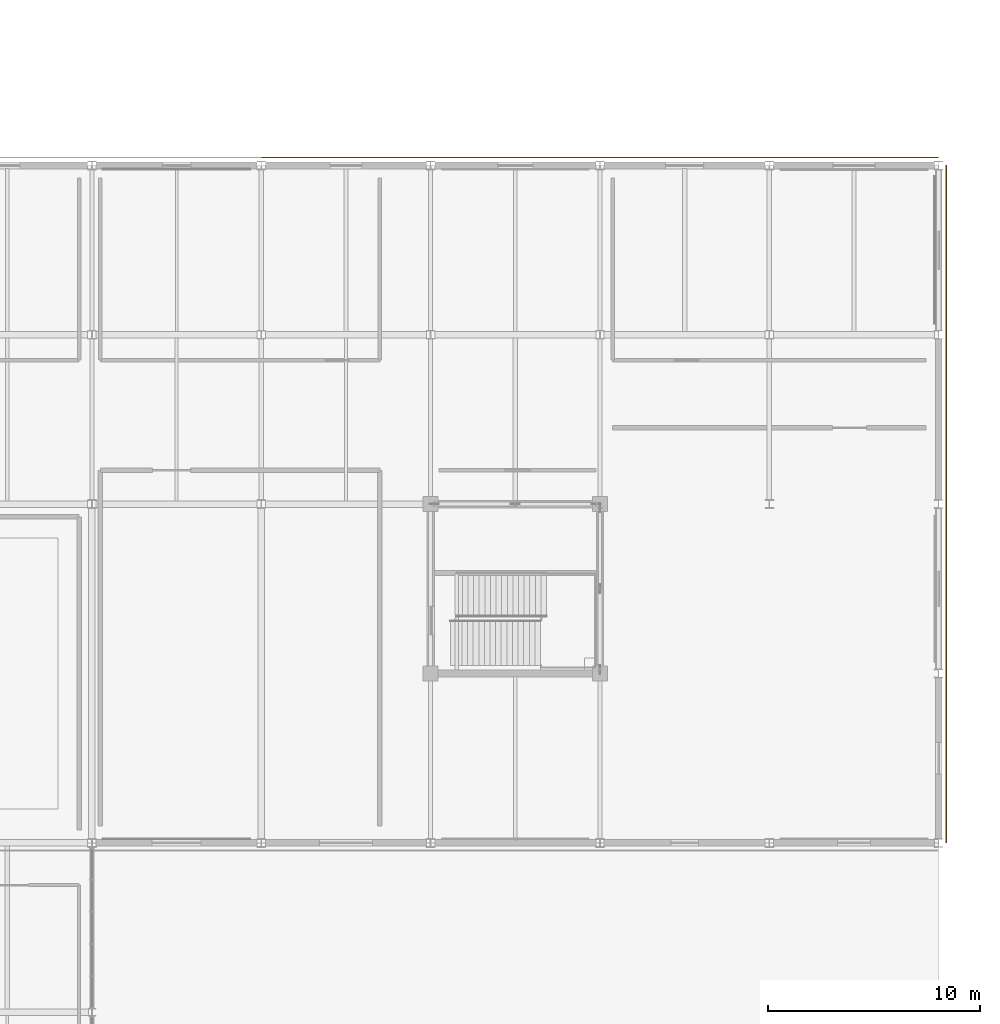
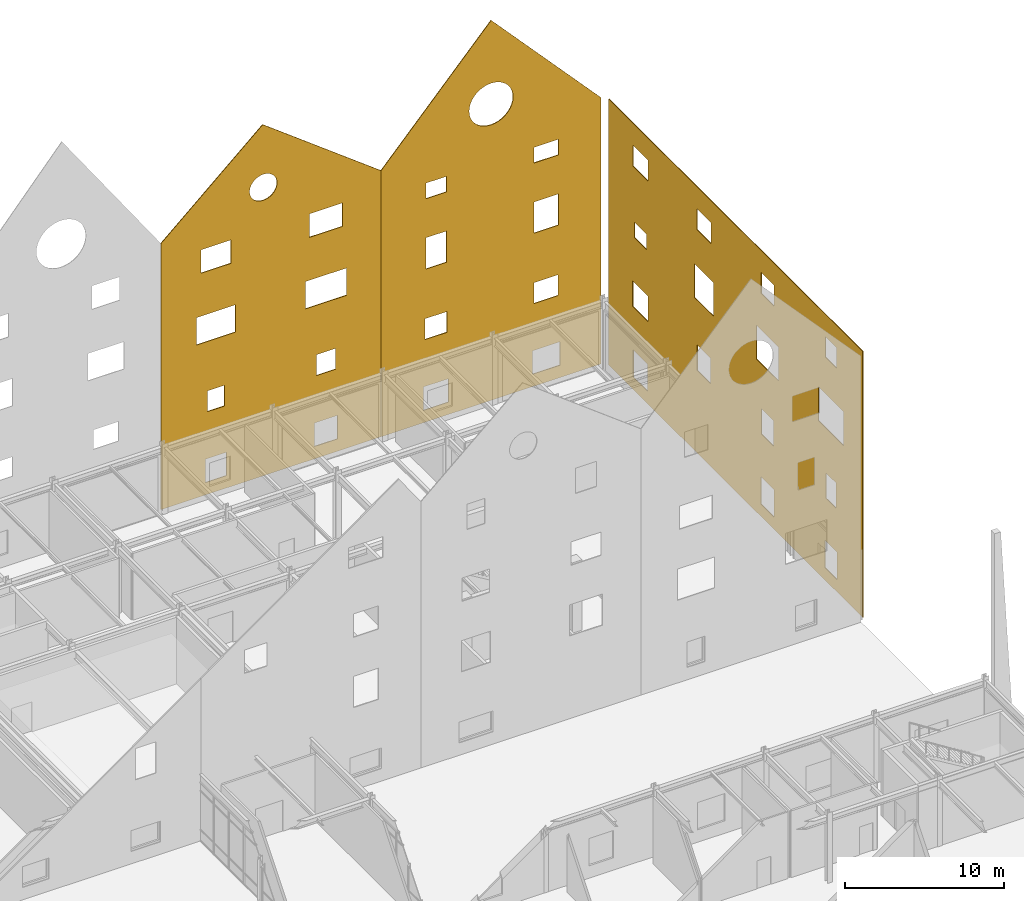
# One storey, part 118 of 119: 3 coverings, 33 openings.
"""IFC4 building model written with IfcOpenShell, lengths in metres."""

from ifc_helpers import new_model, si_unit, direction, frame, frame_2d, origin, place, context, subcontext, project, spatial, polyline, rectangle, outline, extrude, material, layer, layer_set, type_object, element, save


model = new_model("IFC4")

# Units and contexts
model_context = context("Model", 3, precision=1e-05, world=origin(), true_north=direction((0.0, 1.0)))
body_context = subcontext(model_context, "Body", "Model", "MODEL_VIEW")
ifc_project = project(units=[si_unit("LENGTHUNIT", "METRE"), si_unit("AREAUNIT", "SQUARE_METRE"), si_unit("VOLUMEUNIT", "CUBIC_METRE"), si_unit("PLANEANGLEUNIT", "RADIAN"), si_unit("MASSUNIT", "GRAM", prefix="KILO")], contexts=[model_context])

# Site, building, storey
site_placement = place(None, origin())
site = spatial("IfcSite", under=ifc_project, at=site_placement, CompositionType="ELEMENT")
building_placement = place(site_placement, origin())
building = spatial("IfcBuilding", under=site, at=building_placement, Name="Zhaolan Boulevard Law Courts", CompositionType="ELEMENT")
storey_placement = place(building_placement, origin())
storey = spatial("IfcBuildingStorey", under=building, at=storey_placement, Name="L00", CompositionType="ELEMENT", Elevation=0.0)

# Covering, openings
ifc_material = material(Name="Pale mist-grey standing-seam Al-Mg-Mn zinc-titanium")
ifc_layer = layer(ifc_material, 0.050048828125)
ifc_layer_set = layer_set([ifc_layer])
covering_type = type_object("IfcCoveringType", Name="STANDING SEAM CLADDING 50", PredefinedType="CLADDING", material=ifc_layer_set)
covering_1_placement = place(storey_placement, frame((148.0, 94.364990234375, 0.0), z_axis=(0.0, 0.0, 1.0), x_axis=(-1.0, 0.0, 0.0)))
covering_1 = element("IfcCovering", 1, at=covering_1_placement, inside=storey, type_object=covering_type, Name="Standing-Seam Metal Wall Wrap SSC-022", PredefinedType="CLADDING", context=body_context, shape_type="SweptSolid", body=[
    extrude(outline(polyline([(0.0, 0.0), (16.0, 0.0), (16.0, 20.449951171875), (8.60009765625, 27.0), (0.0, 20.449951171875), (0.0, 0.0)])), frame((0.0, 0.02490234375, 0.0), z_axis=(0.0, -1.0, 0.0), x_axis=(1.0, 0.0, 0.0)), (0.0, 0.0, 1.0), 0.050048828125),
])
opening_1_placement = place(storey_placement, frame((136.75, 94.364990234375, 0.949951171875), z_axis=(0.0, 0.0, 1.0), x_axis=(-1.0, 0.0, 0.0)))
element("IfcOpeningElement", 2, at=opening_1_placement, cuts=covering_1, Name="Cladding Void WIN-L00-051", PredefinedType="OPENING", context=body_context, shape_type="SweptSolid", body=[
    extrude(rectangle(XDim=1.5, YDim=1.800048828125, at=frame_2d((0.75, 0.89990234375))), frame((0.0, 0.14990234375, 0.0), z_axis=(0.0, -1.0, 0.0), x_axis=(1.0, 0.0, 0.0)), (0.0, 0.0, 1.0), 0.300048828125),
])
opening_2_placement = place(storey_placement, frame((144.824951171875, 94.364990234375, 0.949951171875), z_axis=(0.0, 0.0, 1.0), x_axis=(-1.0, 0.0, 0.0)))
element("IfcOpeningElement", 3, at=opening_2_placement, cuts=covering_1, Name="Cladding Void WIN-L00-052", PredefinedType="OPENING", context=body_context, shape_type="SweptSolid", body=[
    extrude(rectangle(XDim=1.64990234375, YDim=1.800048828125, at=frame_2d((0.824951171875, 0.89990234375))), frame((0.0, 0.14990234375, 0.0), z_axis=(0.0, -1.0, 0.0), x_axis=(1.0, 0.0, 0.0)), (0.0, 0.0, 1.0), 0.300048828125),
])
opening_3_placement = place(storey_placement, frame((136.625, 94.364990234375, 6.35009765625), z_axis=(0.0, 0.0, 1.0), x_axis=(-1.0, 0.0, 0.0)))
element("IfcOpeningElement", 4, at=opening_3_placement, cuts=covering_1, Name="Cladding Void WIN-L01-082", PredefinedType="OPENING", context=body_context, shape_type="SweptSolid", body=[
    extrude(rectangle(XDim=1.25, YDim=1.60009765625, at=frame_2d((0.625, 0.800048828125))), frame((0.0, 0.14990234375, 0.0), z_axis=(0.0, -1.0, 0.0), x_axis=(1.0, 0.0, 0.0)), (0.0, 0.0, 1.0), 0.300048828125),
])
opening_4_placement = place(storey_placement, frame((144.699951171875, 94.364990234375, 6.35009765625), z_axis=(0.0, 0.0, 1.0), x_axis=(-1.0, 0.0, 0.0)))
element("IfcOpeningElement", 5, at=opening_4_placement, cuts=covering_1, Name="Cladding Void WIN-L01-083", PredefinedType="OPENING", context=body_context, shape_type="SweptSolid", body=[
    extrude(rectangle(XDim=1.39990234375, YDim=1.60009765625, at=frame_2d((0.699951171875, 0.800048828125))), frame((0.0, 0.14990234375, 0.0), z_axis=(0.0, -1.0, 0.0), x_axis=(1.0, 0.0, 0.0)), (0.0, 0.0, 1.0), 0.300048828125),
])
opening_5_placement = place(storey_placement, frame((137.39990234375, 94.364990234375, 11.75), z_axis=(0.0, 0.0, 1.0), x_axis=(-1.0, 0.0, 0.0)))
element("IfcOpeningElement", 6, at=opening_5_placement, cuts=covering_1, Name="Cladding Void WIN-L02-115", PredefinedType="OPENING", context=body_context, shape_type="SweptSolid", body=[
    extrude(rectangle(XDim=2.800048828125, YDim=2.10009765625, at=frame_2d((1.39990234375, 1.050048828125))), frame((0.0, 0.14990234375, 0.0), z_axis=(0.0, -1.0, 0.0), x_axis=(1.0, 0.0, 0.0)), (0.0, 0.0, 1.0), 0.300048828125),
])
opening_6_placement = place(storey_placement, frame((145.5, 94.364990234375, 11.75), z_axis=(0.0, 0.0, 1.0), x_axis=(-1.0, 0.0, 0.0)))
element("IfcOpeningElement", 7, at=opening_6_placement, cuts=covering_1, Name="Cladding Void WIN-L02-116", PredefinedType="OPENING", context=body_context, shape_type="SweptSolid", body=[
    extrude(rectangle(XDim=3.0, YDim=2.10009765625, at=frame_2d((1.5, 1.050048828125))), frame((0.0, 0.14990234375, 0.0), z_axis=(0.0, -1.0, 0.0), x_axis=(1.0, 0.0, 0.0)), (0.0, 0.0, 1.0), 0.300048828125),
])
opening_7_placement = place(storey_placement, frame((137.10009765625, 94.364990234375, 17.14990234375), z_axis=(0.0, 0.0, 1.0), x_axis=(-1.0, 0.0, 0.0)))
element("IfcOpeningElement", 8, at=opening_7_placement, cuts=covering_1, Name="Cladding Void WIN-L03-151", PredefinedType="OPENING", context=body_context, shape_type="SweptSolid", body=[
    extrude(rectangle(XDim=2.199951171875, YDim=1.800048828125, at=frame_2d((1.10009765625, 0.89990234375))), frame((0.0, 0.14990234375, 0.0), z_axis=(0.0, -1.0, 0.0), x_axis=(1.0, 0.0, 0.0)), (0.0, 0.0, 1.0), 0.300048828125),
])
opening_8_placement = place(storey_placement, frame((145.199951171875, 94.364990234375, 17.14990234375), z_axis=(0.0, 0.0, 1.0), x_axis=(-1.0, 0.0, 0.0)))
element("IfcOpeningElement", 9, at=opening_8_placement, cuts=covering_1, Name="Cladding Void WIN-L03-152", PredefinedType="OPENING", context=body_context, shape_type="SweptSolid", body=[
    extrude(rectangle(XDim=2.39990234375, YDim=1.800048828125, at=frame_2d((1.199951171875, 0.89990234375))), frame((0.0, 0.14990234375, 0.0), z_axis=(0.0, -1.0, 0.0), x_axis=(1.0, 0.0, 0.0)), (0.0, 0.0, 1.0), 0.300048828125),
])
opening_9_placement = place(storey_placement, frame((140.44091796875, 94.364990234375, 21.169921875), z_axis=(0.0, 0.0, 1.0), x_axis=(-1.0, 0.0, 0.0)))
element("IfcOpeningElement", 10, at=opening_9_placement, cuts=covering_1, Name="Cladding Void OC-T6N", PredefinedType="OPENING", context=body_context, shape_type="SweptSolid", body=[
    extrude(outline(polyline([(2.0, 1.0), (1.98486328125, 1.173583984375), (1.939697265625, 1.342041015625), (1.865966796875, 1.5), (1.76611328125, 1.642822265625), (1.642822265625, 1.76611328125), (1.5, 1.865966796875), (1.342041015625, 1.939697265625), (1.173583984375, 1.98486328125), (1.0, 2.0), (0.826416015625, 1.98486328125), (0.657958984375, 1.939697265625), (0.5, 1.865966796875), (0.357177734375, 1.76611328125), (0.23388671875, 1.642822265625), (0.134033203125, 1.5), (0.060302734375, 1.342041015625), (0.01513671875, 1.173583984375), (0.0, 1.0), (0.01513671875, 0.826416015625), (0.060302734375, 0.657958984375), (0.134033203125, 0.5), (0.23388671875, 0.357177734375), (0.357177734375, 0.23388671875), (0.5, 0.134033203125), (0.657958984375, 0.060302734375), (0.826416015625, 0.01513671875), (1.0, 0.0), (1.173583984375, 0.01513671875), (1.342041015625, 0.060302734375), (1.5, 0.134033203125), (1.642822265625, 0.23388671875), (1.76611328125, 0.357177734375), (1.865966796875, 0.5), (1.939697265625, 0.657958984375), (1.98486328125, 0.826416015625), (2.0, 1.0)])), frame((0.0, 0.14990234375, 0.0), z_axis=(0.0, -1.0, 0.0), x_axis=(1.0, 0.0, 0.0)), (0.0, 0.0, 1.0), 0.300048828125),
])

covering_2_placement = place(storey_placement, frame((164.0, 94.364990234375, 0.0), z_axis=(0.0, 0.0, 1.0), x_axis=(-1.0, 0.0, 0.0)))
covering_2 = element("IfcCovering", 11, at=covering_2_placement, inside=storey, type_object=covering_type, Name="Standing-Seam Metal Wall Wrap SSC-026", PredefinedType="CLADDING", context=body_context, shape_type="SweptSolid", body=[
    extrude(outline(polyline([(0.0, 0.0), (16.0, 0.0), (16.0, 20.449951171875), (8.0, 29.199951171875), (0.0, 20.449951171875), (0.0, 0.0)])), frame((0.0, 0.02490234375, 0.0), z_axis=(0.0, -1.0, 0.0), x_axis=(1.0, 0.0, 0.0)), (0.0, 0.0, 1.0), 0.050048828125),
])
opening_10_placement = place(storey_placement, frame((152.89990234375, 94.364990234375, 0.949951171875), z_axis=(0.0, 0.0, 1.0), x_axis=(-1.0, 0.0, 0.0)))
element("IfcOpeningElement", 12, at=opening_10_placement, cuts=covering_2, Name="Cladding Void WIN-L00-053", PredefinedType="OPENING", context=body_context, shape_type="SweptSolid", body=[
    extrude(rectangle(XDim=1.800048828125, YDim=1.800048828125, at=frame_2d((0.89990234375, 0.89990234375))), frame((0.0, 0.14990234375, 0.0), z_axis=(0.0, -1.0, 0.0), x_axis=(1.0, 0.0, 0.0)), (0.0, 0.0, 1.0), 0.300048828125),
])
opening_11_placement = place(storey_placement, frame((161.0, 94.364990234375, 0.949951171875), z_axis=(0.0, 0.0, 1.0), x_axis=(-1.0, 0.0, 0.0)))
element("IfcOpeningElement", 13, at=opening_11_placement, cuts=covering_2, Name="Cladding Void WIN-L00-054", PredefinedType="OPENING", context=body_context, shape_type="SweptSolid", body=[
    extrude(rectangle(XDim=2.0, YDim=1.800048828125, at=frame_2d((1.0, 0.89990234375))), frame((0.0, 0.14990234375, 0.0), z_axis=(0.0, -1.0, 0.0), x_axis=(1.0, 0.0, 0.0)), (0.0, 0.0, 1.0), 0.300048828125),
])
opening_12_placement = place(storey_placement, frame((152.800048828125, 94.364990234375, 6.35009765625), z_axis=(0.0, 0.0, 1.0), x_axis=(-1.0, 0.0, 0.0)))
element("IfcOpeningElement", 14, at=opening_12_placement, cuts=covering_2, Name="Cladding Void WIN-L01-084", PredefinedType="OPENING", context=body_context, shape_type="SweptSolid", body=[
    extrude(rectangle(XDim=1.60009765625, YDim=1.60009765625, at=frame_2d((0.800048828125, 0.800048828125))), frame((0.0, 0.14990234375, 0.0), z_axis=(0.0, -1.0, 0.0), x_axis=(1.0, 0.0, 0.0)), (0.0, 0.0, 1.0), 0.300048828125),
])
opening_13_placement = place(storey_placement, frame((160.875, 94.364990234375, 6.35009765625), z_axis=(0.0, 0.0, 1.0), x_axis=(-1.0, 0.0, 0.0)))
element("IfcOpeningElement", 15, at=opening_13_placement, cuts=covering_2, Name="Cladding Void WIN-L01-085", PredefinedType="OPENING", context=body_context, shape_type="SweptSolid", body=[
    extrude(rectangle(XDim=1.75, YDim=1.60009765625, at=frame_2d((0.875, 0.800048828125))), frame((0.0, 0.14990234375, 0.0), z_axis=(0.0, -1.0, 0.0), x_axis=(1.0, 0.0, 0.0)), (0.0, 0.0, 1.0), 0.300048828125),
])
opening_14_placement = place(storey_placement, frame((152.75, 94.364990234375, 11.75), z_axis=(0.0, 0.0, 1.0), x_axis=(-1.0, 0.0, 0.0)))
element("IfcOpeningElement", 16, at=opening_14_placement, cuts=covering_2, Name="Cladding Void WIN-L02-117", PredefinedType="OPENING", context=body_context, shape_type="SweptSolid", body=[
    extrude(rectangle(XDim=1.5, YDim=2.39990234375, at=frame_2d((0.75, 1.199951171875))), frame((0.0, 0.14990234375, 0.0), z_axis=(0.0, -1.0, 0.0), x_axis=(1.0, 0.0, 0.0)), (0.0, 0.0, 1.0), 0.300048828125),
])
opening_15_placement = place(storey_placement, frame((160.89990234375, 94.364990234375, 11.75), z_axis=(0.0, 0.0, 1.0), x_axis=(-1.0, 0.0, 0.0)))
element("IfcOpeningElement", 17, at=opening_15_placement, cuts=covering_2, Name="Cladding Void WIN-L02-118", PredefinedType="OPENING", context=body_context, shape_type="SweptSolid", body=[
    extrude(rectangle(XDim=1.800048828125, YDim=2.39990234375, at=frame_2d((0.89990234375, 1.199951171875))), frame((0.0, 0.14990234375, 0.0), z_axis=(0.0, -1.0, 0.0), x_axis=(1.0, 0.0, 0.0)), (0.0, 0.0, 1.0), 0.300048828125),
])
opening_16_placement = place(storey_placement, frame((152.75, 94.364990234375, 17.14990234375), z_axis=(0.0, 0.0, 1.0), x_axis=(-1.0, 0.0, 0.0)))
element("IfcOpeningElement", 18, at=opening_16_placement, cuts=covering_2, Name="Cladding Void WIN-L03-153", PredefinedType="OPENING", context=body_context, shape_type="SweptSolid", body=[
    extrude(rectangle(XDim=1.5, YDim=1.199951171875, at=frame_2d((0.75, 0.60009765625))), frame((0.0, 0.14990234375, 0.0), z_axis=(0.0, -1.0, 0.0), x_axis=(1.0, 0.0, 0.0)), (0.0, 0.0, 1.0), 0.300048828125),
])
opening_17_placement = place(storey_placement, frame((160.89990234375, 94.364990234375, 17.14990234375), z_axis=(0.0, 0.0, 1.0), x_axis=(-1.0, 0.0, 0.0)))
element("IfcOpeningElement", 19, at=opening_17_placement, cuts=covering_2, Name="Cladding Void WIN-L03-154", PredefinedType="OPENING", context=body_context, shape_type="SweptSolid", body=[
    extrude(rectangle(XDim=1.800048828125, YDim=1.199951171875, at=frame_2d((0.89990234375, 0.60009765625))), frame((0.0, 0.14990234375, 0.0), z_axis=(0.0, -1.0, 0.0), x_axis=(1.0, 0.0, 0.0)), (0.0, 0.0, 1.0), 0.300048828125),
])
opening_18_placement = place(storey_placement, frame((157.60009765625, 94.364990234375, 21.169921875), z_axis=(0.0, 0.0, 1.0), x_axis=(-1.0, 0.0, 0.0)))
element("IfcOpeningElement", 20, at=opening_18_placement, cuts=covering_2, Name="Cladding Void OC-T7N", PredefinedType="OPENING", context=body_context, shape_type="SweptSolid", body=[
    extrude(outline(polyline([(3.199951171875, 1.60009765625), (3.17578125, 1.8779296875), (3.103515625, 2.147216796875), (2.985595703125, 2.39990234375), (2.82568359375, 2.62841796875), (2.62841796875, 2.82568359375), (2.39990234375, 2.985595703125), (2.147216796875, 3.103515625), (1.8779296875, 3.17578125), (1.60009765625, 3.199951171875), (1.322265625, 3.17578125), (1.052734375, 3.103515625), (0.800048828125, 2.985595703125), (0.571533203125, 2.82568359375), (0.374267578125, 2.62841796875), (0.21435546875, 2.39990234375), (0.096435546875, 2.147216796875), (0.0244140625, 1.8779296875), (0.0, 1.60009765625), (0.0244140625, 1.322265625), (0.096435546875, 1.052734375), (0.21435546875, 0.800048828125), (0.374267578125, 0.571533203125), (0.571533203125, 0.374267578125), (0.800048828125, 0.21435546875), (1.052734375, 0.096435546875), (1.322265625, 0.0244140625), (1.60009765625, 0.0), (1.8779296875, 0.0244140625), (2.147216796875, 0.096435546875), (2.39990234375, 0.21435546875), (2.62841796875, 0.374267578125), (2.82568359375, 0.571533203125), (2.985595703125, 0.800048828125), (3.103515625, 1.052734375), (3.17578125, 1.322265625), (3.199951171875, 1.60009765625)])), frame((0.0, 0.14990234375, 0.0), z_axis=(0.0, -1.0, 0.0), x_axis=(1.0, 0.0, 0.0)), (0.0, 0.0, 1.0), 0.300048828125),
])

covering_3_placement = place(storey_placement, frame((164.364990234375, 62.0, 0.0), z_axis=(0.0, 0.0, 1.0), x_axis=(0.0, 1.0, 0.0)))
covering_3 = element("IfcCovering", 21, at=covering_3_placement, inside=storey, type_object=covering_type, Name="Standing-Seam Metal Wall Wrap SSC-030", PredefinedType="CLADDING", context=body_context, shape_type="SweptSolid", body=[
    extrude(rectangle(XDim=32.0, YDim=0.050048828125, at=frame_2d((16.0, 0.0))), origin(), (0.0, 0.0, 1.0), 20.449951171875),
])
opening_19_placement = place(storey_placement, frame((164.364990234375, 65.25, 0.949951171875), z_axis=(0.0, 0.0, 1.0), x_axis=(0.0, 1.0, 0.0)))
element("IfcOpeningElement", 22, at=opening_19_placement, cuts=covering_3, Name="Cladding Void WIN-L00-059", PredefinedType="OPENING", context=body_context, shape_type="SweptSolid", body=[
    extrude(rectangle(XDim=1.5, YDim=2.10009765625, at=frame_2d((0.75, 1.050048828125))), frame((0.0, 0.14990234375, 0.0), z_axis=(0.0, -1.0, 0.0), x_axis=(1.0, 0.0, 0.0)), (0.0, 0.0, 1.0), 0.300048828125),
])
opening_20_placement = place(storey_placement, frame((164.364990234375, 73.175048828125, 0.949951171875), z_axis=(0.0, 0.0, 1.0), x_axis=(0.0, 1.0, 0.0)))
element("IfcOpeningElement", 23, at=opening_20_placement, cuts=covering_3, Name="Cladding Void WIN-L00-060", PredefinedType="OPENING", context=body_context, shape_type="SweptSolid", body=[
    extrude(rectangle(XDim=1.64990234375, YDim=2.10009765625, at=frame_2d((0.824951171875, 1.050048828125))), frame((0.0, 0.14990234375, 0.0), z_axis=(0.0, -1.0, 0.0), x_axis=(1.0, 0.0, 0.0)), (0.0, 0.0, 1.0), 0.300048828125),
])
opening_21_placement = place(storey_placement, frame((164.364990234375, 89.10009765625, 0.949951171875), z_axis=(0.0, 0.0, 1.0), x_axis=(0.0, 1.0, 0.0)))
element("IfcOpeningElement", 24, at=opening_21_placement, cuts=covering_3, Name="Cladding Void WIN-L00-061", PredefinedType="OPENING", context=body_context, shape_type="SweptSolid", body=[
    extrude(rectangle(XDim=1.800048828125, YDim=2.10009765625, at=frame_2d((0.89990234375, 1.050048828125))), frame((0.0, 0.14990234375, 0.0), z_axis=(0.0, -1.0, 0.0), x_axis=(1.0, 0.0, 0.0)), (0.0, 0.0, 1.0), 0.300048828125),
])
opening_22_placement = place(storey_placement, frame((164.364990234375, 65.35009765625, 6.35009765625), z_axis=(0.0, 0.0, 1.0), x_axis=(0.0, 1.0, 0.0)))
element("IfcOpeningElement", 25, at=opening_22_placement, cuts=covering_3, Name="Cladding Void WIN-L01-090", PredefinedType="OPENING", context=body_context, shape_type="SweptSolid", body=[
    extrude(rectangle(XDim=1.300048828125, YDim=1.949951171875, at=frame_2d((0.64990234375, 0.97509765625))), frame((0.0, 0.14990234375, 0.0), z_axis=(0.0, -1.0, 0.0), x_axis=(1.0, 0.0, 0.0)), (0.0, 0.0, 1.0), 0.300048828125),
])
opening_23_placement = place(storey_placement, frame((164.364990234375, 73.22509765625, 6.35009765625), z_axis=(0.0, 0.0, 1.0), x_axis=(0.0, 1.0, 0.0)))
element("IfcOpeningElement", 26, at=opening_23_placement, cuts=covering_3, Name="Cladding Void WIN-L01-091", PredefinedType="OPENING", context=body_context, shape_type="SweptSolid", body=[
    extrude(rectangle(XDim=1.550048828125, YDim=1.949951171875, at=frame_2d((0.77490234375, 0.97509765625))), frame((0.0, 0.14990234375, 0.0), z_axis=(0.0, -1.0, 0.0), x_axis=(1.0, 0.0, 0.0)), (0.0, 0.0, 1.0), 0.300048828125),
])
opening_24_placement = place(storey_placement, frame((164.364990234375, 81.14990234375, 6.35009765625), z_axis=(0.0, 0.0, 1.0), x_axis=(0.0, 1.0, 0.0)))
element("IfcOpeningElement", 27, at=opening_24_placement, cuts=covering_3, Name="Cladding Void WIN-L01-092", PredefinedType="OPENING", context=body_context, shape_type="SweptSolid", body=[
    extrude(rectangle(XDim=1.699951171875, YDim=1.949951171875, at=frame_2d((0.85009765625, 0.97509765625))), frame((0.0, 0.14990234375, 0.0), z_axis=(0.0, -1.0, 0.0), x_axis=(1.0, 0.0, 0.0)), (0.0, 0.0, 1.0), 0.300048828125),
])
opening_25_placement = place(storey_placement, frame((164.364990234375, 89.02490234375, 6.35009765625), z_axis=(0.0, 0.0, 1.0), x_axis=(0.0, 1.0, 0.0)))
element("IfcOpeningElement", 28, at=opening_25_placement, cuts=covering_3, Name="Cladding Void WIN-L01-093", PredefinedType="OPENING", context=body_context, shape_type="SweptSolid", body=[
    extrude(rectangle(XDim=1.949951171875, YDim=1.949951171875, at=frame_2d((0.97509765625, 0.97509765625))), frame((0.0, 0.14990234375, 0.0), z_axis=(0.0, -1.0, 0.0), x_axis=(1.0, 0.0, 0.0)), (0.0, 0.0, 1.0), 0.300048828125),
])
opening_26_placement = place(storey_placement, frame((164.364990234375, 64.39990234375, 11.75), z_axis=(0.0, 0.0, 1.0), x_axis=(0.0, 1.0, 0.0)))
element("IfcOpeningElement", 29, at=opening_26_placement, cuts=covering_3, Name="Cladding Void WIN-L02-123", PredefinedType="OPENING", context=body_context, shape_type="SweptSolid", body=[
    extrude(rectangle(XDim=3.199951171875, YDim=2.60009765625, at=frame_2d((1.60009765625, 1.300048828125))), frame((0.0, 0.14990234375, 0.0), z_axis=(0.0, -1.0, 0.0), x_axis=(1.0, 0.0, 0.0)), (0.0, 0.0, 1.0), 0.300048828125),
])
opening_27_placement = place(storey_placement, frame((164.364990234375, 72.60009765625, 11.75), z_axis=(0.0, 0.0, 1.0), x_axis=(0.0, 1.0, 0.0)))
element("IfcOpeningElement", 30, at=opening_27_placement, cuts=covering_3, Name="Cladding Void WIN-L02-124", PredefinedType="OPENING", context=body_context, shape_type="SweptSolid", body=[
    extrude(rectangle(XDim=2.800048828125, YDim=2.60009765625, at=frame_2d((1.39990234375, 1.300048828125))), frame((0.0, 0.14990234375, 0.0), z_axis=(0.0, -1.0, 0.0), x_axis=(1.0, 0.0, 0.0)), (0.0, 0.0, 1.0), 0.300048828125),
])
opening_28_placement = place(storey_placement, frame((164.364990234375, 80.800048828125, 11.75), z_axis=(0.0, 0.0, 1.0), x_axis=(0.0, 1.0, 0.0)))
element("IfcOpeningElement", 31, at=opening_28_placement, cuts=covering_3, Name="Cladding Void WIN-L02-125", PredefinedType="OPENING", context=body_context, shape_type="SweptSolid", body=[
    extrude(rectangle(XDim=2.39990234375, YDim=2.60009765625, at=frame_2d((1.199951171875, 1.300048828125))), frame((0.0, 0.14990234375, 0.0), z_axis=(0.0, -1.0, 0.0), x_axis=(1.0, 0.0, 0.0)), (0.0, 0.0, 1.0), 0.300048828125),
])
opening_29_placement = place(storey_placement, frame((164.364990234375, 89.25, 11.75), z_axis=(0.0, 0.0, 1.0), x_axis=(0.0, 1.0, 0.0)))
element("IfcOpeningElement", 32, at=opening_29_placement, cuts=covering_3, Name="Cladding Void WIN-L02-126", PredefinedType="OPENING", context=body_context, shape_type="SweptSolid", body=[
    extrude(rectangle(XDim=1.5, YDim=1.199951171875, at=frame_2d((0.75, 0.60009765625))), frame((0.0, 0.14990234375, 0.0), z_axis=(0.0, -1.0, 0.0), x_axis=(1.0, 0.0, 0.0)), (0.0, 0.0, 1.0), 0.300048828125),
])
opening_30_placement = place(storey_placement, frame((164.364990234375, 65.300048828125, 17.14990234375), z_axis=(0.0, 0.0, 1.0), x_axis=(0.0, 1.0, 0.0)))
element("IfcOpeningElement", 33, at=opening_30_placement, cuts=covering_3, Name="Cladding Void WIN-L03-159", PredefinedType="OPENING", context=body_context, shape_type="SweptSolid", body=[
    extrude(rectangle(XDim=1.39990234375, YDim=1.60009765625, at=frame_2d((0.699951171875, 0.800048828125))), frame((0.0, 0.14990234375, 0.0), z_axis=(0.0, -1.0, 0.0), x_axis=(1.0, 0.0, 0.0)), (0.0, 0.0, 1.0), 0.300048828125),
])
opening_31_placement = place(storey_placement, frame((164.364990234375, 73.199951171875, 17.14990234375), z_axis=(0.0, 0.0, 1.0), x_axis=(0.0, 1.0, 0.0)))
element("IfcOpeningElement", 34, at=opening_31_placement, cuts=covering_3, Name="Cladding Void WIN-L03-160", PredefinedType="OPENING", context=body_context, shape_type="SweptSolid", body=[
    extrude(rectangle(XDim=1.60009765625, YDim=1.60009765625, at=frame_2d((0.800048828125, 0.800048828125))), frame((0.0, 0.14990234375, 0.0), z_axis=(0.0, -1.0, 0.0), x_axis=(1.0, 0.0, 0.0)), (0.0, 0.0, 1.0), 0.300048828125),
])
opening_32_placement = place(storey_placement, frame((164.364990234375, 81.125, 17.14990234375), z_axis=(0.0, 0.0, 1.0), x_axis=(0.0, 1.0, 0.0)))
element("IfcOpeningElement", 35, at=opening_32_placement, cuts=covering_3, Name="Cladding Void WIN-L03-161", PredefinedType="OPENING", context=body_context, shape_type="SweptSolid", body=[
    extrude(rectangle(XDim=1.75, YDim=1.60009765625, at=frame_2d((0.875, 0.800048828125))), frame((0.0, 0.14990234375, 0.0), z_axis=(0.0, -1.0, 0.0), x_axis=(1.0, 0.0, 0.0)), (0.0, 0.0, 1.0), 0.300048828125),
])
opening_33_placement = place(storey_placement, frame((164.364990234375, 89.050048828125, 17.14990234375), z_axis=(0.0, 0.0, 1.0), x_axis=(0.0, 1.0, 0.0)))
element("IfcOpeningElement", 36, at=opening_33_placement, cuts=covering_3, Name="Cladding Void WIN-L03-162", PredefinedType="OPENING", context=body_context, shape_type="SweptSolid", body=[
    extrude(rectangle(XDim=1.89990234375, YDim=1.60009765625, at=frame_2d((0.949951171875, 0.800048828125))), frame((0.0, 0.14990234375, 0.0), z_axis=(0.0, -1.0, 0.0), x_axis=(1.0, 0.0, 0.0)), (0.0, 0.0, 1.0), 0.300048828125),
])

save(model, "model.ifc")
